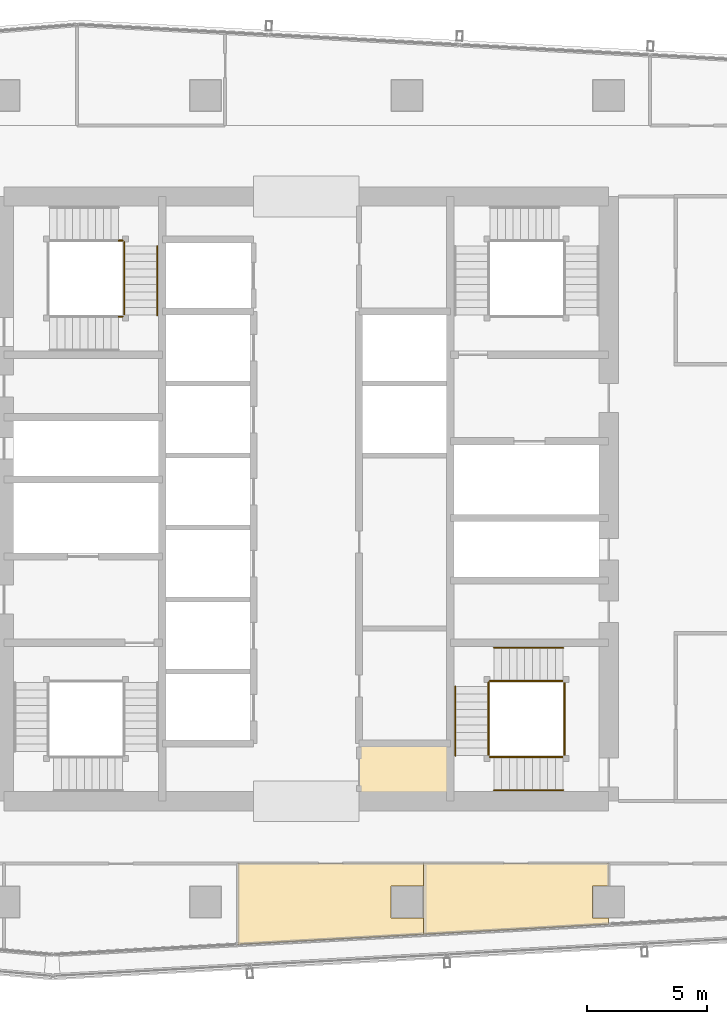
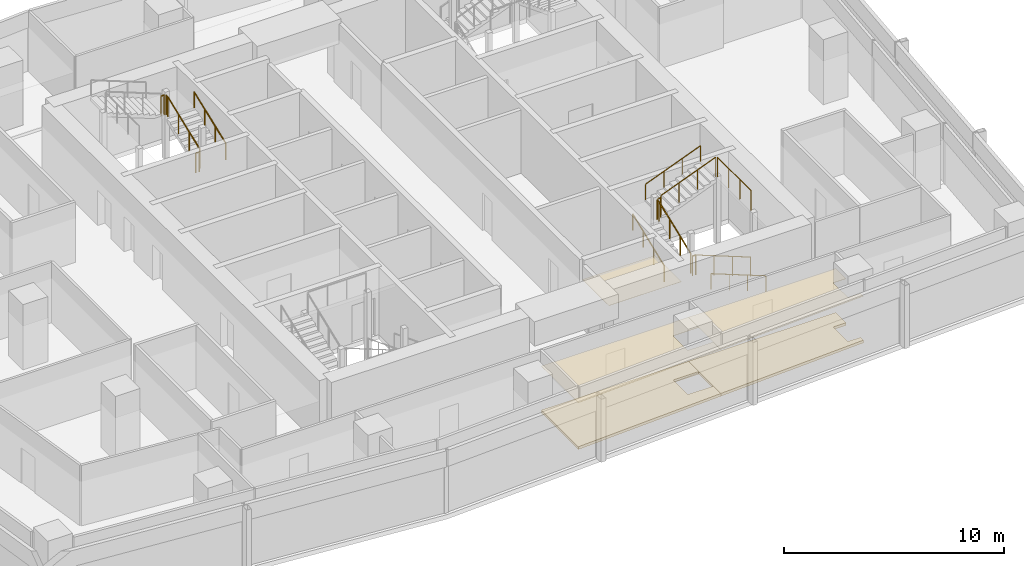
# One storey, part 28 of 30: 15 railings, 5 coverings.
"""IFC4 building model written with IfcOpenShell, lengths in metres."""

from ifc_helpers import new_model, si_unit, direction, frame, origin, origin_2d, place, context, subcontext, project, spatial, polyline, circle, outline, extrude, material, layer, layer_set, type_object, element, save


model = new_model("IFC4")

# Units and contexts
model_context = context("Model", 3, precision=1e-05, world=origin(), true_north=direction((0.0, 1.0)))
body_context = subcontext(model_context, "Body", "Model", "MODEL_VIEW")
ifc_project = project(units=[si_unit("LENGTHUNIT", "METRE"), si_unit("AREAUNIT", "SQUARE_METRE"), si_unit("VOLUMEUNIT", "CUBIC_METRE"), si_unit("PLANEANGLEUNIT", "RADIAN"), si_unit("MASSUNIT", "GRAM", prefix="KILO")], contexts=[model_context])

# Site, building, storey
site_placement = place(None, origin())
site = spatial("IfcSite", under=ifc_project, at=site_placement, CompositionType="ELEMENT")
building_placement = place(site_placement, origin())
building = spatial("IfcBuilding", under=site, at=building_placement, Name="Rekha Terrace Tower", CompositionType="ELEMENT")
storey_placement = place(building_placement, frame((0.0, 0.0, 265.10009765625)))
storey = spatial("IfcBuildingStorey", under=building, at=storey_placement, Name="L67", CompositionType="ELEMENT", Elevation=265.10009765625)

# Coverings
ifc_material_1 = material(Name="Mineral fibre tile in exposed grid", Category="finish")
ifc_layer_1 = layer(ifc_material_1, 0.02001953125)
ifc_layer_set_1 = layer_set([ifc_layer_1], Name="Mineral fibre tile in exposed grid")
covering_type_1 = type_object("IfcCoveringType", Name="CL1 600x1200 office grid ceiling", PredefinedType="CEILING", material=ifc_layer_set_1)
covering_1_placement = place(storey_placement, frame((0.0, 0.0, 2.579833984375)))
element("IfcCovering", 1, at=covering_1_placement, inside=storey, type_object=covering_type_1, Name="Ceiling L67-07", PredefinedType="CEILING", context=body_context, shape_type="SweptSolid", body=[
    extrude(outline(polyline([(34.947998046875, 18.39990234375), (34.947998046875, 15.033935546875), (42.673095703125, 15.4541015625), (42.673095703125, 16.135009765625), (41.3349609375, 16.135009765625), (41.3349609375, 17.465087890625), (42.673095703125, 17.465087890625), (42.673095703125, 18.39990234375), (34.947998046875, 18.39990234375)])), origin(), (0.0, 0.0, 1.0), 0.02001953125),
])
covering_2_placement = place(storey_placement, frame((0.0, 0.0, 2.579833984375)))
element("IfcCovering", 2, at=covering_2_placement, inside=storey, type_object=covering_type_1, Name="Ceiling L67-08", PredefinedType="CEILING", context=body_context, shape_type="SweptSolid", body=[
    extrude(outline(polyline([(42.674072265625, 18.39990234375), (42.674072265625, 15.4541015625), (50.39990234375, 15.875), (50.39990234375, 16.135009765625), (49.735107421875, 16.135009765625), (49.735107421875, 17.465087890625), (50.39990234375, 17.465087890625), (50.39990234375, 18.39990234375), (42.674072265625, 18.39990234375)])), origin(), (0.0, 0.0, 1.0), 0.02001953125),
])
ifc_material_2 = material(Name="Fibre cement board", Category="finish")
ifc_layer_2 = layer(ifc_material_2, 0.014892578125)
ifc_layer_set_2 = layer_set([ifc_layer_2], Name="Fibre cement board")
covering_type_2 = type_object("IfcCoveringType", Name="CL2 moisture-resistant board ceiling", PredefinedType="CEILING", material=ifc_layer_set_2)
covering_3_placement = place(storey_placement, frame((0.0, 0.0, 2.5849609375)))
element("IfcCovering", 3, at=covering_3_placement, inside=storey, type_object=covering_type_2, Name="Ceiling L67-WCA", PredefinedType="CEILING", context=body_context, shape_type="SweptSolid", body=[
    extrude(outline(polyline([(43.800048828125, 23.39990234375), (40.0, 23.39990234375), (40.0, 21.0), (43.800048828125, 21.0), (43.800048828125, 23.39990234375)])), origin(), (0.0, 0.0, 1.0), 0.014892578125),
])

# Railings
ifc_material_3 = material(Name="Stainless steel balustrade", Category="steel")
railing_type_1 = type_object("IfcRailingType", Name="GR1 1100 stair guard", PredefinedType="GUARDRAIL", material=ifc_material_3)
railing_1_placement = place(storey_placement, frame((48.5, 22.840087890625, 0.125)))
element("IfcRailing", 4, at=railing_1_placement, inside=storey, type_object=railing_type_1, Name="Guard ST3 L67 flight 1", PredefinedType="GUARDRAIL", context=body_context, shape_type="SweptSolid", body=[
    extrude(circle(Radius=0.02392578125, at=origin_2d()), frame((0.0, 0.0, 1.076171875), z_axis=(-0.931452331594, 0.0, 0.363863372667), x_axis=(0.0, -1.0, 0.0)), (0.0, 0.0, 1.0), 3.091796875),
    extrude(circle(Radius=0.02099609375, at=origin_2d()), origin(), (0.0, 0.0, 1.0), 1.052001953125),
    extrude(circle(Radius=0.02099609375, at=origin_2d()), frame((-0.9599609375, 0.0, 0.375)), (0.0, 0.0, 1.0), 1.052001953125),
    extrude(circle(Radius=0.02099609375, at=origin_2d()), frame((-1.919921875, 0.0, 0.75)), (0.0, 0.0, 1.0), 1.052001953125),
    extrude(circle(Radius=0.02099609375, at=origin_2d()), frame((-2.8798828125, 0.0, 1.125)), (0.0, 0.0, 1.0), 1.052001953125),
])
railing_2_placement = place(storey_placement, frame((45.389892578125, 22.89990234375, 1.375)))
element("IfcRailing", 5, at=railing_2_placement, inside=storey, type_object=railing_type_1, Name="Guard ST3 L67 flight 2", PredefinedType="GUARDRAIL", context=body_context, shape_type="SweptSolid", body=[
    extrude(circle(Radius=0.02392578125, at=origin_2d()), frame((0.0, 0.0, 1.076171875), z_axis=(0.0, 0.931462784923, 0.363836612098), x_axis=(-1.0, 0.0, 0.0)), (0.0, 0.0, 1.0), 3.092041015625),
    extrude(circle(Radius=0.02099609375, at=origin_2d()), origin(), (0.0, 0.0, 1.0), 1.052001953125),
    extrude(circle(Radius=0.02099609375, at=origin_2d()), frame((0.0, 0.9599609375, 0.375)), (0.0, 0.0, 1.0), 1.052001953125),
    extrude(circle(Radius=0.02099609375, at=origin_2d()), frame((0.0, 1.920166015625, 0.75)), (0.0, 0.0, 1.0), 1.052001953125),
    extrude(circle(Radius=0.02099609375, at=origin_2d()), frame((0.0, 2.880126953125, 1.125)), (0.0, 0.0, 1.0), 1.052001953125),
])
railing_3_placement = place(storey_placement, frame((45.6201171875, 26.010009765625, 2.625)))
element("IfcRailing", 6, at=railing_3_placement, inside=storey, type_object=railing_type_1, Name="Guard ST3 L67 flight 3", PredefinedType="GUARDRAIL", context=body_context, shape_type="SweptSolid", body=[
    extrude(circle(Radius=0.02392578125, at=origin_2d()), frame((0.0, 0.0, 1.076171875), z_axis=(0.931452331594, 0.0, 0.363863372667), x_axis=(0.0, 1.0, 0.0)), (0.0, 0.0, 1.0), 3.091796875),
    extrude(circle(Radius=0.02099609375, at=origin_2d()), origin(), (0.0, 0.0, 1.0), 1.052001953125),
    extrude(circle(Radius=0.02099609375, at=origin_2d()), frame((0.9599609375, 0.0, 0.375)), (0.0, 0.0, 1.0), 1.052001953125),
    extrude(circle(Radius=0.02099609375, at=origin_2d()), frame((1.919921875, 0.0, 0.75)), (0.0, 0.0, 1.0), 1.052001953125),
    extrude(circle(Radius=0.02099609375, at=origin_2d()), frame((2.8798828125, 0.0, 1.125)), (0.0, 0.0, 1.0), 1.052001953125),
])
railing_4_placement = place(storey_placement, frame((45.6201171875, 22.840087890625, 1.25)))
element("IfcRailing", 7, at=railing_4_placement, inside=storey, type_object=railing_type_1, Name="Guard ST3 L67 landing 1", PredefinedType="GUARDRAIL", context=body_context, shape_type="SweptSolid", body=[
    extrude(circle(Radius=0.02392578125, at=origin_2d()), frame((0.0, 0.0, 1.076171875), z_axis=(-1.0, 0.0, 0.0), x_axis=(0.0, -1.0, 0.0)), (0.0, 0.0, 1.0), 0.170166015625),
    extrude(circle(Radius=0.02099609375, at=origin_2d()), origin(), (0.0, 0.0, 1.0), 1.052001953125),
    extrude(circle(Radius=0.02099609375, at=origin_2d()), frame((-0.170166015625, 0.0, 0.0)), (0.0, 0.0, 1.0), 1.052001953125),
])
railing_5_placement = place(storey_placement, frame((45.389892578125, 25.780029296875, 2.5)))
element("IfcRailing", 8, at=railing_5_placement, inside=storey, type_object=railing_type_1, Name="Guard ST3 L67 landing 2", PredefinedType="GUARDRAIL", context=body_context, shape_type="SweptSolid", body=[
    extrude(circle(Radius=0.02392578125, at=origin_2d()), frame((0.0, 0.0, 1.076171875), z_axis=(0.0, 1.0, 0.0), x_axis=(-1.0, 0.0, 0.0)), (0.0, 0.0, 1.0), 0.169921875),
    extrude(circle(Radius=0.02099609375, at=origin_2d()), origin(), (0.0, 0.0, 1.0), 1.052001953125),
    extrude(circle(Radius=0.02099609375, at=origin_2d()), frame((0.0, 0.169921875, 0.0)), (0.0, 0.0, 1.0), 1.052001953125),
])
railing_6_placement = place(storey_placement, frame((45.6201171875, 26.010009765625, 2.5)))
element("IfcRailing", 9, at=railing_6_placement, inside=storey, type_object=railing_type_1, Name="Guard ST3 L67 landing 3", PredefinedType="GUARDRAIL", context=body_context, shape_type="SweptSolid", body=[
    extrude(circle(Radius=0.02392578125, at=origin_2d()), frame((0.0, 0.0, 1.076171875), z_axis=(-1.0, 0.0, 0.0), x_axis=(0.0, -1.0, 0.0)), (0.0, 0.0, 1.0), 0.170166015625),
    extrude(circle(Radius=0.02099609375, at=origin_2d()), origin(), (0.0, 0.0, 1.0), 1.052001953125),
    extrude(circle(Radius=0.02099609375, at=origin_2d()), frame((-0.170166015625, 0.0, 0.0)), (0.0, 0.0, 1.0), 1.052001953125),
])
railing_7_placement = place(storey_placement, frame((48.56005859375, 22.89990234375, 3.75)))
element("IfcRailing", 10, at=railing_7_placement, inside=storey, type_object=railing_type_1, Name="Guard ST3 L67 landing 4", PredefinedType="GUARDRAIL", context=body_context, shape_type="SweptSolid", body=[
    extrude(circle(Radius=0.02392578125, at=origin_2d()), frame((0.0, 0.0, 1.076171875), z_axis=(0.0, 1.0, 0.0), x_axis=(-1.0, 0.0, 0.0)), (0.0, 0.0, 1.0), 3.050048828125),
    extrude(circle(Radius=0.02099609375, at=origin_2d()), origin(), (0.0, 0.0, 1.0), 1.052001953125),
    extrude(circle(Radius=0.02099609375, at=origin_2d()), frame((0.0, 1.0166015625, 0.0)), (0.0, 0.0, 1.0), 1.052001953125),
    extrude(circle(Radius=0.02099609375, at=origin_2d()), frame((0.0, 2.033447265625, 0.0)), (0.0, 0.0, 1.0), 1.052001953125),
    extrude(circle(Radius=0.02099609375, at=origin_2d()), frame((0.0, 3.050048828125, 0.0)), (0.0, 0.0, 1.0), 1.052001953125),
])
railing_8_placement = place(storey_placement, frame((30.2099609375, 41.25, 1.375)))
element("IfcRailing", 11, at=railing_8_placement, inside=storey, type_object=railing_type_1, Name="Guard ST4 L67 flight 2", PredefinedType="GUARDRAIL", context=body_context, shape_type="SweptSolid", body=[
    extrude(circle(Radius=0.02392578125, at=origin_2d()), frame((0.0, 0.0, 1.076171875), z_axis=(0.0, 0.931452331594, 0.363863372667), x_axis=(-1.0, 0.0, 0.0)), (0.0, 0.0, 1.0), 3.091796875),
    extrude(circle(Radius=0.02099609375, at=origin_2d()), origin(), (0.0, 0.0, 1.0), 1.052001953125),
    extrude(circle(Radius=0.02099609375, at=origin_2d()), frame((0.0, 0.9599609375, 0.375)), (0.0, 0.0, 1.0), 1.052001953125),
    extrude(circle(Radius=0.02099609375, at=origin_2d()), frame((0.0, 1.919921875, 0.75)), (0.0, 0.0, 1.0), 1.052001953125),
    extrude(circle(Radius=0.02099609375, at=origin_2d()), frame((0.0, 2.8798828125, 1.125)), (0.0, 0.0, 1.0), 1.052001953125),
])
railing_9_placement = place(storey_placement, frame((29.97998046875, 41.18994140625, 1.25)))
element("IfcRailing", 12, at=railing_9_placement, inside=storey, type_object=railing_type_1, Name="Guard ST4 L67 landing 1", PredefinedType="GUARDRAIL", context=body_context, shape_type="SweptSolid", body=[
    extrude(circle(Radius=0.02392578125, at=origin_2d()), frame((0.0, 0.0, 1.076171875), z_axis=(1.0, 0.0, 0.0), x_axis=(0.0, 1.0, 0.0)), (0.0, 0.0, 1.0), 0.169921875),
    extrude(circle(Radius=0.02099609375, at=origin_2d()), origin(), (0.0, 0.0, 1.0), 1.052001953125),
    extrude(circle(Radius=0.02099609375, at=origin_2d()), frame((0.169921875, 0.0, 0.0)), (0.0, 0.0, 1.0), 1.052001953125),
])
railing_10_placement = place(storey_placement, frame((30.2099609375, 44.1298828125, 2.5)))
element("IfcRailing", 13, at=railing_10_placement, inside=storey, type_object=railing_type_1, Name="Guard ST4 L67 landing 2", PredefinedType="GUARDRAIL", context=body_context, shape_type="SweptSolid", body=[
    extrude(circle(Radius=0.02392578125, at=origin_2d()), frame((0.0, 0.0, 1.076171875), z_axis=(0.0, 1.0, 0.0), x_axis=(-1.0, 0.0, 0.0)), (0.0, 0.0, 1.0), 0.170166015625),
    extrude(circle(Radius=0.02099609375, at=origin_2d()), origin(), (0.0, 0.0, 1.0), 1.052001953125),
    extrude(circle(Radius=0.02099609375, at=origin_2d()), frame((0.0, 0.170166015625, 0.0)), (0.0, 0.0, 1.0), 1.052001953125),
])
railing_11_placement = place(storey_placement, frame((29.97998046875, 44.360107421875, 2.5)))
element("IfcRailing", 14, at=railing_11_placement, inside=storey, type_object=railing_type_1, Name="Guard ST4 L67 landing 3", PredefinedType="GUARDRAIL", context=body_context, shape_type="SweptSolid", body=[
    extrude(circle(Radius=0.02392578125, at=origin_2d()), frame((0.0, 0.0, 1.076171875), z_axis=(1.0, 0.0, 0.0), x_axis=(0.0, 1.0, 0.0)), (0.0, 0.0, 1.0), 0.169921875),
    extrude(circle(Radius=0.02099609375, at=origin_2d()), origin(), (0.0, 0.0, 1.0), 1.052001953125),
    extrude(circle(Radius=0.02099609375, at=origin_2d()), frame((0.169921875, 0.0, 0.0)), (0.0, 0.0, 1.0), 1.052001953125),
])
ifc_material_4 = material(Name="Stainless steel tube", Category="steel")
railing_type_2 = type_object("IfcRailingType", Name="HR1 900 stair handrail", PredefinedType="HANDRAIL", material=ifc_material_4)
railing_12_placement = place(storey_placement, frame((48.5, 21.4599609375, 0.125)))
element("IfcRailing", 15, at=railing_12_placement, inside=storey, type_object=railing_type_2, Name="Handrail ST3 L67 flight 1", PredefinedType="HANDRAIL", context=body_context, shape_type="SweptSolid", body=[
    extrude(circle(Radius=0.02392578125, at=origin_2d()), frame((0.0, 0.0, 0.8759765625), z_axis=(-0.931452331594, 0.0, 0.363863372667), x_axis=(0.0, -1.0, 0.0)), (0.0, 0.0, 1.0), 3.091796875),
    extrude(circle(Radius=0.02099609375, at=origin_2d()), origin(), (0.0, 0.0, 1.0), 0.851806640625),
    extrude(circle(Radius=0.02099609375, at=origin_2d()), frame((-0.9599609375, 0.0, 0.375)), (0.0, 0.0, 1.0), 0.851806640625),
    extrude(circle(Radius=0.02099609375, at=origin_2d()), frame((-1.919921875, 0.0, 0.75)), (0.0, 0.0, 1.0), 0.851806640625),
    extrude(circle(Radius=0.02099609375, at=origin_2d()), frame((-2.8798828125, 0.0, 1.125)), (0.0, 0.0, 1.0), 0.851806640625),
])
railing_13_placement = place(storey_placement, frame((44.010009765625, 22.89990234375, 1.375)))
element("IfcRailing", 16, at=railing_13_placement, inside=storey, type_object=railing_type_2, Name="Handrail ST3 L67 flight 2", PredefinedType="HANDRAIL", context=body_context, shape_type="SweptSolid", body=[
    extrude(circle(Radius=0.02392578125, at=origin_2d()), frame((0.0, 0.0, 0.8759765625), z_axis=(0.0, 0.931462784923, 0.363836612098), x_axis=(-1.0, 0.0, 0.0)), (0.0, 0.0, 1.0), 3.092041015625),
    extrude(circle(Radius=0.02099609375, at=origin_2d()), origin(), (0.0, 0.0, 1.0), 0.851806640625),
    extrude(circle(Radius=0.02099609375, at=origin_2d()), frame((0.0, 0.9599609375, 0.375)), (0.0, 0.0, 1.0), 0.851806640625),
    extrude(circle(Radius=0.02099609375, at=origin_2d()), frame((0.0, 1.920166015625, 0.75)), (0.0, 0.0, 1.0), 0.851806640625),
    extrude(circle(Radius=0.02099609375, at=origin_2d()), frame((0.0, 2.880126953125, 1.125)), (0.0, 0.0, 1.0), 0.851806640625),
])
railing_14_placement = place(storey_placement, frame((45.6201171875, 27.389892578125, 2.625)))
element("IfcRailing", 17, at=railing_14_placement, inside=storey, type_object=railing_type_2, Name="Handrail ST3 L67 flight 3", PredefinedType="HANDRAIL", context=body_context, shape_type="SweptSolid", body=[
    extrude(circle(Radius=0.02392578125, at=origin_2d()), frame((0.0, 0.0, 0.8759765625), z_axis=(0.931452331594, 0.0, 0.363863372667), x_axis=(0.0, 1.0, 0.0)), (0.0, 0.0, 1.0), 3.091796875),
    extrude(circle(Radius=0.02099609375, at=origin_2d()), origin(), (0.0, 0.0, 1.0), 0.851806640625),
    extrude(circle(Radius=0.02099609375, at=origin_2d()), frame((0.9599609375, 0.0, 0.375)), (0.0, 0.0, 1.0), 0.851806640625),
    extrude(circle(Radius=0.02099609375, at=origin_2d()), frame((1.919921875, 0.0, 0.75)), (0.0, 0.0, 1.0), 0.851806640625),
    extrude(circle(Radius=0.02099609375, at=origin_2d()), frame((2.8798828125, 0.0, 1.125)), (0.0, 0.0, 1.0), 0.851806640625),
])
railing_15_placement = place(storey_placement, frame((31.590087890625, 41.25, 1.375)))
element("IfcRailing", 18, at=railing_15_placement, inside=storey, type_object=railing_type_2, Name="Handrail ST4 L67 flight 2", PredefinedType="HANDRAIL", context=body_context, shape_type="SweptSolid", body=[
    extrude(circle(Radius=0.02392578125, at=origin_2d()), frame((0.0, 0.0, 0.8759765625), z_axis=(0.0, 0.931452331594, 0.363863372667), x_axis=(-1.0, 0.0, 0.0)), (0.0, 0.0, 1.0), 3.091796875),
    extrude(circle(Radius=0.02099609375, at=origin_2d()), origin(), (0.0, 0.0, 1.0), 0.851806640625),
    extrude(circle(Radius=0.02099609375, at=origin_2d()), frame((0.0, 0.9599609375, 0.375)), (0.0, 0.0, 1.0), 0.851806640625),
    extrude(circle(Radius=0.02099609375, at=origin_2d()), frame((0.0, 1.919921875, 0.75)), (0.0, 0.0, 1.0), 0.851806640625),
    extrude(circle(Radius=0.02099609375, at=origin_2d()), frame((0.0, 2.8798828125, 1.125)), (0.0, 0.0, 1.0), 0.851806640625),
])

# Coverings
ifc_material_5 = material(Name="Calcium sulphate panels on steel pedestals", Category="steel")
ifc_layer_3 = layer(ifc_material_5, 0.14990234375)
ifc_layer_set_3 = layer_set([ifc_layer_3], Name="Calcium sulphate panels on steel pedestals")
covering_type_3 = type_object("IfcCoveringType", Name="RF1 150 raised access floor", PredefinedType="FLOORING", material=ifc_layer_set_3)
covering_4_placement = place(storey_placement, origin())
element("IfcCovering", 19, at=covering_4_placement, inside=storey, type_object=covering_type_3, Name="Raised floor L67-07", PredefinedType="FLOORING", context=body_context, shape_type="SweptSolid", body=[
    extrude(outline(polyline([(34.947998046875, 18.39990234375), (34.947998046875, 15.033935546875), (42.673095703125, 15.4541015625), (42.673095703125, 16.135009765625), (41.3349609375, 16.135009765625), (41.3349609375, 17.465087890625), (42.673095703125, 17.465087890625), (42.673095703125, 18.39990234375), (34.947998046875, 18.39990234375)])), origin(), (0.0, 0.0, 1.0), 0.14990234375),
])
covering_5_placement = place(storey_placement, origin())
element("IfcCovering", 20, at=covering_5_placement, inside=storey, type_object=covering_type_3, Name="Raised floor L67-08", PredefinedType="FLOORING", context=body_context, shape_type="SweptSolid", body=[
    extrude(outline(polyline([(42.674072265625, 18.39990234375), (42.674072265625, 15.4541015625), (50.39990234375, 15.875), (50.39990234375, 16.135009765625), (49.735107421875, 16.135009765625), (49.735107421875, 17.465087890625), (50.39990234375, 17.465087890625), (50.39990234375, 18.39990234375), (42.674072265625, 18.39990234375)])), origin(), (0.0, 0.0, 1.0), 0.14990234375),
])

save(model, "model.ifc")
